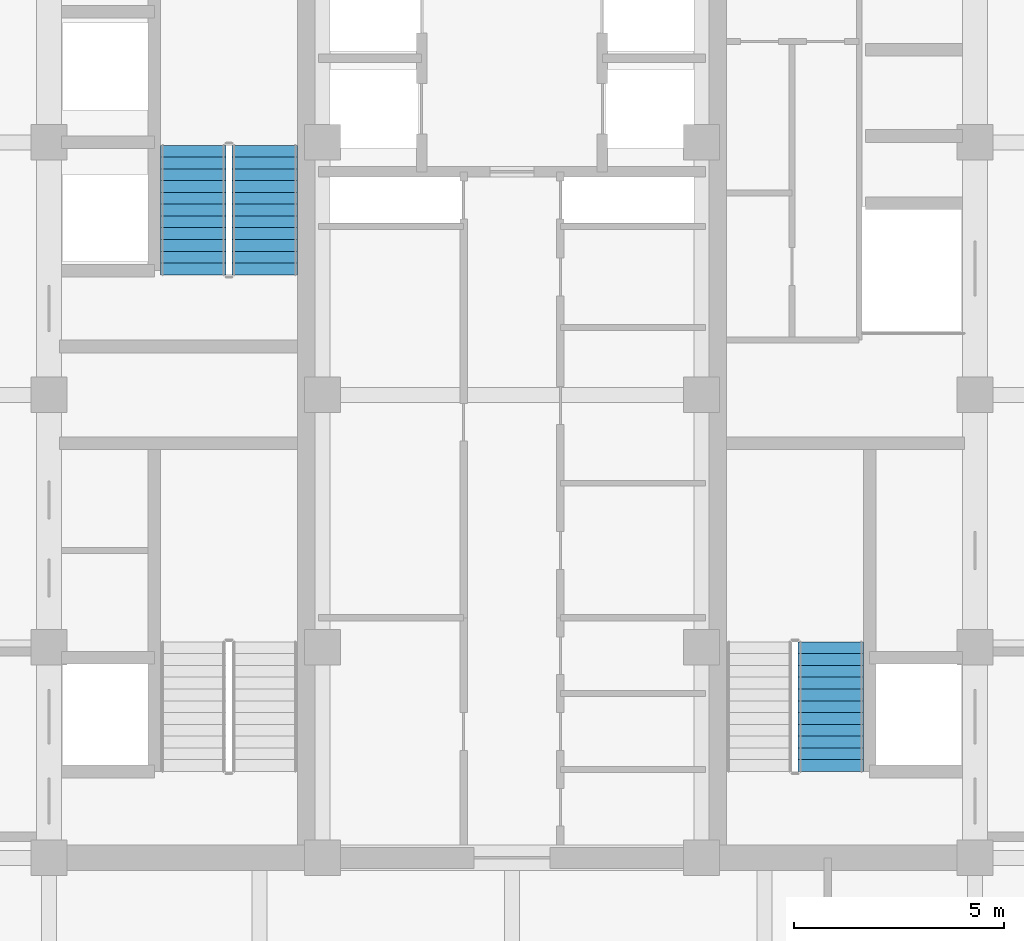
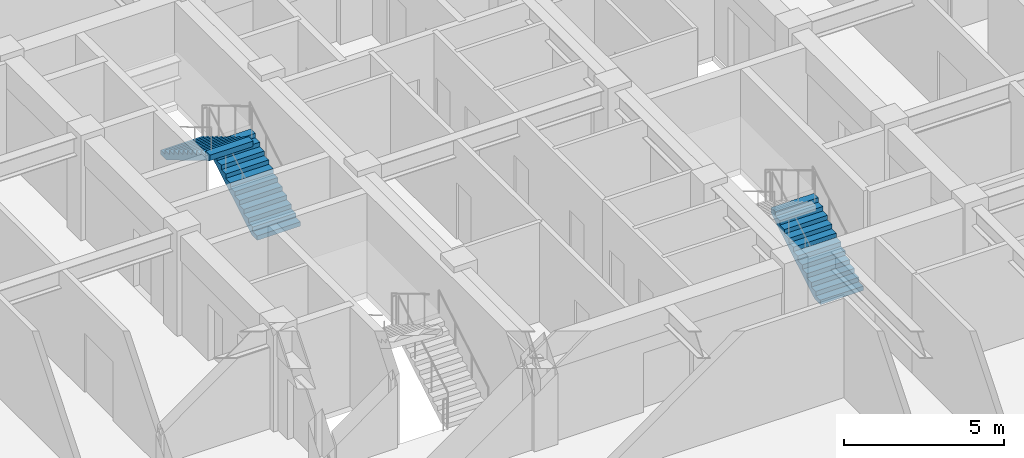
# One storey, part 24 of 25: 3 stair flights, 2 elements without a shape of their own.
"""IFC4 building model written with IfcOpenShell, lengths in metres."""

from ifc_helpers import new_model, si_unit, direction, frame, origin, place, context, subcontext, project, spatial, polyline, outline, extrude, source, transform, mapped, material, type_object, element, aggregate, save


model = new_model("IFC4")

# Units and contexts
model_context = context("Model", 3, precision=1e-05, world=origin(), true_north=direction((0.0, 1.0)))
body_context = subcontext(model_context, "Body", "Model", "MODEL_VIEW")
ifc_project = project(units=[si_unit("LENGTHUNIT", "METRE"), si_unit("AREAUNIT", "SQUARE_METRE"), si_unit("VOLUMEUNIT", "CUBIC_METRE"), si_unit("PLANEANGLEUNIT", "RADIAN"), si_unit("MASSUNIT", "GRAM", prefix="KILO")], contexts=[model_context])

# Site, building, storey
site_placement = place(None, origin())
site = spatial("IfcSite", under=ifc_project, at=site_placement, CompositionType="ELEMENT")
building_placement = place(site_placement, origin())
building = spatial("IfcBuilding", under=site, at=building_placement, Name="Khorayat Bourse Tower", CompositionType="ELEMENT")
storey_placement = place(building_placement, frame((0.0, 0.0, 231.10009765625)))
storey = spatial("IfcBuildingStorey", under=building, at=storey_placement, Name="L54", CompositionType="ELEMENT", Elevation=231.10009765625)

# Stair, stair flights
ifc_material = material(Name="Concrete C40/50", Category="concrete")
stair_type = type_object("IfcStairType", Name="STR-CORE-1550", PredefinedType="HALF_TURN_STAIR", material=ifc_material)
stair_1_placement = place(storey_placement, origin())
stair_1 = element("IfcStair", 1, at=stair_1_placement, inside=storey, type_object=stair_type, Name="L54 Exit Stair ST-2", PredefinedType="HALF_TURN_STAIR")
stair_flight_type = type_object("IfcStairFlightType", Name="FLT-CORE-1550", PredefinedType="STRAIGHT", material=ifc_material)
shared_shape = source(origin(), body_context, "Body", "SweptSolid", [
    extrude(outline(polyline([(0.0, 0.0), (0.0, 0.166748046875), (0.280029296875, 0.166748046875), (0.280029296875, 0.333251953125), (0.56005859375, 0.333251953125), (0.56005859375, 0.5), (0.840087890625, 0.5), (0.840087890625, 0.666748046875), (1.1201171875, 0.666748046875), (1.1201171875, 0.833251953125), (1.39990234375, 0.833251953125), (1.39990234375, 1.0), (1.679931640625, 1.0), (1.679931640625, 1.166748046875), (1.9599609375, 1.166748046875), (1.9599609375, 1.333251953125), (2.239990234375, 1.333251953125), (2.239990234375, 1.5), (2.52001953125, 1.5), (2.52001953125, 1.666748046875), (2.800048828125, 1.666748046875), (2.800048828125, 1.833251953125), (3.080078125, 1.833251953125), (3.080078125, 2.0), (3.080078125, 1.6240234375), (0.351806640625, 0.0), (0.0, 0.0)])), frame((0.0, 0.77490234375, 0.0), z_axis=(0.0, -1.0, 0.0), x_axis=(1.0, 0.0, 0.0)), (0.0, 0.0, 1.0), 1.550048828125),
])
stair_flight_1_placement = place(storey_placement, frame((-5.875, 2.85009765625, 0.0), z_axis=(0.0, 0.0, 1.0), x_axis=(0.0, 1.0, 0.0)))
stair_flight_1 = element("IfcStairFlight", 2, at=stair_flight_1_placement, type_object=stair_flight_type, Name="ST-2 flight 1", NumberOfRisers=12, NumberOfTreads=11, PredefinedType="STRAIGHT", RiserHeight=0.166666667, TreadLength=0.28, context=body_context, shape_type="MappedRepresentation", body=[
    mapped(shared_shape, transform((0.0, 0.0, 0.0), scale=1.0)),
])
stair_flight_2_placement = place(storey_placement, frame((-7.574951171875, 5.929931640625, 2.0), z_axis=(0.0, 0.0, 1.0), x_axis=(0.0, -1.0, 0.0)))
stair_flight_2 = element("IfcStairFlight", 3, at=stair_flight_2_placement, type_object=stair_flight_type, Name="ST-2 flight 2", NumberOfRisers=12, NumberOfTreads=11, PredefinedType="STRAIGHT", RiserHeight=0.166666667, TreadLength=0.28, context=body_context, shape_type="MappedRepresentation", body=[
    mapped(shared_shape, transform((0.0, 0.0, 0.0), scale=1.0)),
])
aggregate(stair_1, [stair_flight_1, stair_flight_2])

# Stair, stair flight
stair_2_placement = place(storey_placement, origin())
stair_2 = element("IfcStair", 4, at=stair_2_placement, inside=storey, type_object=stair_type, Name="L54 Exit Stair ST-3", PredefinedType="HALF_TURN_STAIR")
stair_flight_3_placement = place(storey_placement, frame((7.574951171875, -8.949951171875, 0.0), z_axis=(0.0, 0.0, 1.0), x_axis=(0.0, 1.0, 0.0)))
stair_flight_3 = element("IfcStairFlight", 5, at=stair_flight_3_placement, type_object=stair_flight_type, Name="ST-3 flight 1", NumberOfRisers=12, NumberOfTreads=11, PredefinedType="STRAIGHT", RiserHeight=0.166666667, TreadLength=0.28, context=body_context, shape_type="MappedRepresentation", body=[
    mapped(shared_shape, transform((0.0, 0.0, 0.0), scale=1.0)),
])
aggregate(stair_2, [stair_flight_3])

save(model, "model.ifc")
